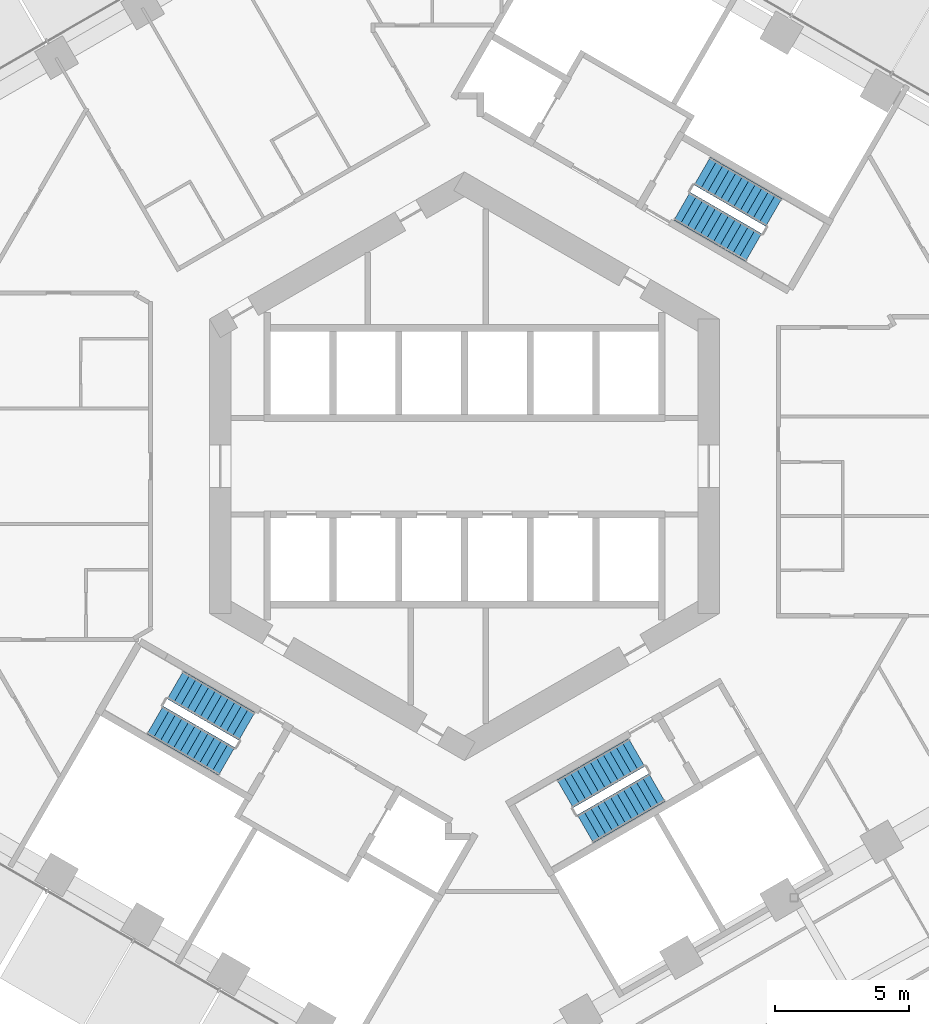
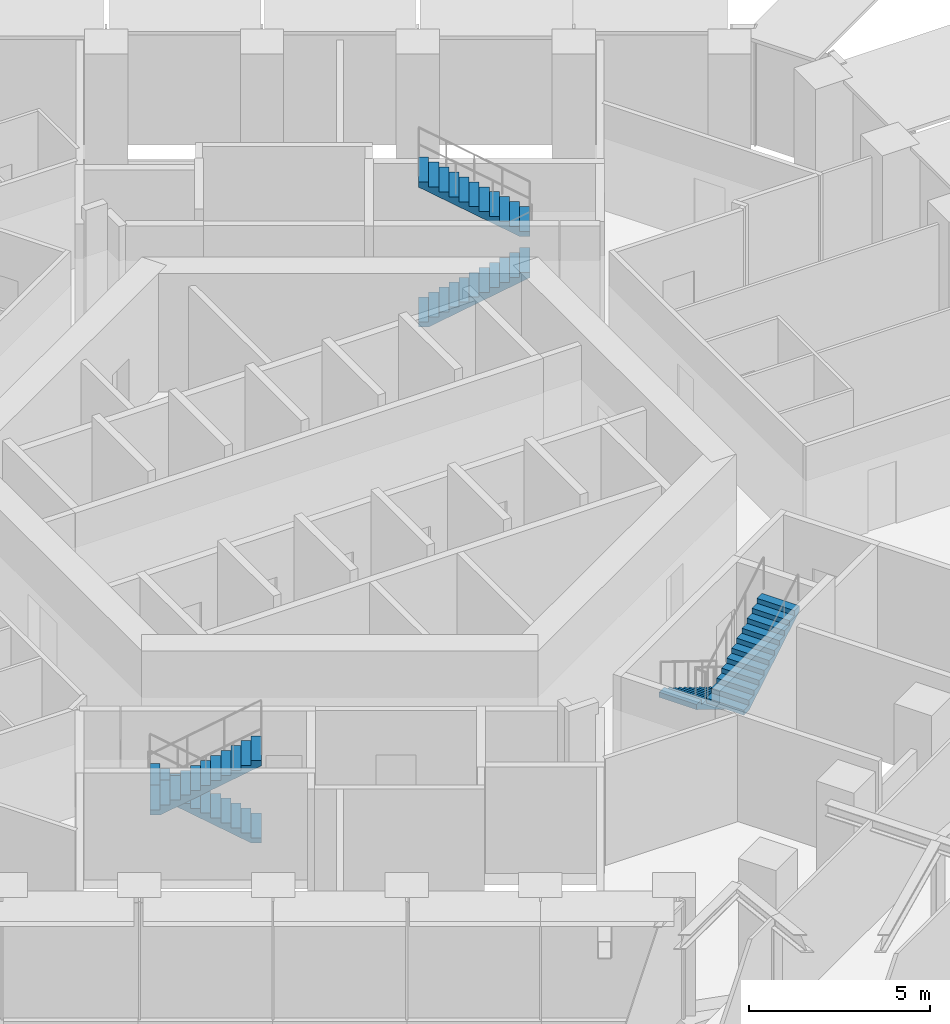
# One storey, part 25 of 28: 6 stair flights, 3 elements without a shape of their own.
"""IFC4 building model written with IfcOpenShell, lengths in metres."""

from ifc_helpers import new_model, si_unit, direction, frame, origin, place, context, subcontext, project, spatial, triangles, material, type_object, element, aggregate, save


model = new_model("IFC4")

# Units and contexts
model_context = context("Model", 3, precision=1e-05, world=origin(), true_north=direction((0.0, 1.0)))
body_context = subcontext(model_context, "Body", "Model", "MODEL_VIEW")
ifc_project = project(units=[si_unit("LENGTHUNIT", "METRE"), si_unit("AREAUNIT", "SQUARE_METRE"), si_unit("VOLUMEUNIT", "CUBIC_METRE"), si_unit("PLANEANGLEUNIT", "RADIAN"), si_unit("MASSUNIT", "GRAM", prefix="KILO")], contexts=[model_context])

# Site, building, storey
site_placement = place(None, origin())
site = spatial("IfcSite", under=ifc_project, at=site_placement, CompositionType="ELEMENT")
building_placement = place(site_placement, origin())
building = spatial("IfcBuilding", under=site, at=building_placement, Name="Ayvan Gate Tower", CompositionType="ELEMENT")
storey_placement = place(building_placement, frame((0.0, 0.0, 74.300048828125)))
storey = spatial("IfcBuildingStorey", under=building, at=storey_placement, Name="L19", CompositionType="ELEMENT", Elevation=74.300048828125)

# Stair, stair flights
ifc_material = material(Name="Concrete C40/50", Category="concrete")
stair_type = type_object("IfcStairType", Name="ST-EXIT", PredefinedType="HALF_TURN_STAIR", material=ifc_material)
stair_1_placement = place(storey_placement, origin())
stair_1 = element("IfcStair", 1, at=stair_1_placement, inside=storey, type_object=stair_type, Name="L19 Exit Stair S1", PredefinedType="HALF_TURN_STAIR")
stair_flight_type = type_object("IfcStairFlightType", Name="SFL-EXIT", PredefinedType="STRAIGHT", material=ifc_material)
stair_flight_1_placement = place(storey_placement, frame((8.106201171875, 9.690185546875, 0.0), z_axis=(0.0, 0.0, 1.0), x_axis=(0.866025403784, -0.5, 0.0)))
stair_flight_1 = element("IfcStairFlight", 2, at=stair_flight_1_placement, type_object=stair_flight_type, Name="STS1 flight 1", NumberOfRisers=12, NumberOfTreads=11, PredefinedType="STRAIGHT", RiserHeight=0.166666667, TreadLength=0.28, context=body_context, shape_type="Tessellation", body=[
    triangles([(0.293073, -0.599976, 0.0), (3.0805, -0.599976, 1.659182), (3.0805, -0.599976, 1.833333), (2.8, -0.599976, 1.833333), (2.8, -0.599976, 1.666667), (2.52, -0.599976, 1.666667), (2.52, -0.599976, 1.5), (2.24, -0.599976, 1.5), (2.24, -0.599976, 1.333333), (1.96, -0.599976, 1.333333), (1.96, -0.599976, 1.166667), (1.68, -0.599976, 1.166667), (1.68, -0.599976, 1.0), (1.4, -0.599976, 1.0), (1.4, -0.599976, 0.833333), (1.12, -0.599976, 0.833333), (1.12, -0.599976, 0.666667), (0.84, -0.599976, 0.666667), (0.84, -0.599976, 0.5), (0.56, -0.599976, 0.5), (0.56, -0.599976, 0.333333), (0.28, -0.599976, 0.333333), (0.28, -0.599976, 0.166667), (-0.0005, -0.599976, 0.166667), (-0.0005, -0.599976, 0.0), (0.293073, 0.0, 0.0), (3.0805, 0.0, 1.659182), (3.0805, 0.0, 1.833333), (2.8, 0.0, 1.833333), (2.8, 0.0, 1.666667), (2.52, 0.0, 1.666667), (2.52, 0.0, 1.5), (2.24, 0.0, 1.5), (2.24, 0.0, 1.333333), (1.96, 0.0, 1.333333), (1.96, 0.0, 1.166667), (1.68, 0.0, 1.166667), (1.68, 0.0, 1.0), (1.4, 0.0, 1.0), (1.4, 0.0, 0.833333), (1.12, 0.0, 0.833333), (1.12, 0.0, 0.666667), (0.84, 0.0, 0.666667), (0.84, 0.0, 0.5), (0.56, 0.0, 0.5), (0.56, 0.0, 0.333333), (0.28, 0.0, 0.333333), (0.28, 0.0, 0.166667), (-0.0005, 0.0, 0.166667), (-0.0005, 0.0, 0.0), (0.293073, 0.599976, 0.0), (3.0805, 0.599976, 1.659182), (3.0805, 0.599976, 1.833333), (2.8, 0.599976, 1.833333), (2.8, 0.599976, 1.666667), (2.52, 0.599976, 1.666667), (2.52, 0.599976, 1.5), (2.24, 0.599976, 1.5), (2.24, 0.599976, 1.333333), (1.96, 0.599976, 1.333333), (1.96, 0.599976, 1.166667), (1.68, 0.599976, 1.166667), (1.68, 0.599976, 1.0), (1.4, 0.599976, 1.0), (1.4, 0.599976, 0.833333), (1.12, 0.599976, 0.833333), (1.12, 0.599976, 0.666667), (0.84, 0.599976, 0.666667), (0.84, 0.599976, 0.5), (0.56, 0.599976, 0.5), (0.56, 0.599976, 0.333333), (0.28, 0.599976, 0.333333), (0.28, 0.599976, 0.166667), (-0.0005, 0.599976, 0.166667), (-0.0005, 0.599976, 0.0)], [[25, 1, 2], [75, 52, 51], [2, 3, 4], [52, 54, 53], [2, 4, 5], [52, 55, 54], [2, 5, 6], [52, 56, 55], [2, 6, 7], [52, 57, 56], [7, 8, 9], [57, 59, 58], [2, 7, 9], [52, 59, 57], [9, 10, 11], [59, 61, 60], [2, 9, 11], [52, 61, 59], [11, 12, 13], [61, 63, 62], [2, 11, 13], [52, 63, 61], [13, 14, 15], [63, 65, 64], [2, 13, 15], [52, 65, 63], [15, 16, 17], [65, 67, 66], [2, 15, 17], [52, 67, 65], [17, 18, 19], [67, 69, 68], [2, 17, 19], [52, 69, 67], [19, 20, 21], [69, 71, 70], [2, 19, 21], [52, 71, 69], [21, 22, 23], [71, 73, 72], [2, 21, 23], [52, 73, 71], [25, 2, 23], [75, 73, 52], [23, 24, 25], [73, 75, 74], [1, 26, 27], [1, 27, 2], [51, 27, 26], [51, 52, 27], [2, 27, 28], [2, 28, 3], [52, 28, 27], [52, 53, 28], [3, 28, 29], [3, 29, 4], [53, 29, 28], [53, 54, 29], [4, 29, 30], [4, 30, 5], [54, 30, 29], [54, 55, 30], [5, 30, 31], [5, 31, 6], [55, 31, 30], [55, 56, 31], [6, 31, 32], [6, 32, 7], [56, 32, 31], [56, 57, 32], [7, 32, 33], [7, 33, 8], [57, 33, 32], [57, 58, 33], [8, 33, 34], [8, 34, 9], [58, 34, 33], [58, 59, 34], [9, 34, 35], [9, 35, 10], [59, 35, 34], [59, 60, 35], [10, 35, 36], [10, 36, 11], [60, 36, 35], [60, 61, 36], [11, 36, 37], [11, 37, 12], [61, 37, 36], [61, 62, 37], [12, 37, 38], [12, 38, 13], [62, 38, 37], [62, 63, 38], [13, 38, 39], [13, 39, 14], [63, 39, 38], [63, 64, 39], [14, 39, 40], [14, 40, 15], [64, 40, 39], [64, 65, 40], [15, 40, 41], [15, 41, 16], [65, 41, 40], [65, 66, 41], [16, 41, 42], [16, 42, 17], [66, 42, 41], [66, 67, 42], [17, 42, 43], [17, 43, 18], [67, 43, 42], [67, 68, 43], [18, 43, 44], [18, 44, 19], [68, 44, 43], [68, 69, 44], [19, 44, 45], [19, 45, 20], [69, 45, 44], [69, 70, 45], [20, 45, 46], [20, 46, 21], [70, 46, 45], [70, 71, 46], [21, 46, 47], [21, 47, 22], [71, 47, 46], [71, 72, 47], [22, 47, 48], [22, 48, 23], [72, 48, 47], [72, 73, 48], [23, 48, 49], [23, 49, 24], [73, 49, 48], [73, 74, 49], [24, 49, 50], [24, 50, 25], [74, 50, 49], [74, 75, 50], [25, 50, 26], [25, 26, 1], [75, 26, 50], [75, 51, 26]], closed=True),
])
stair_flight_2_placement = place(storey_placement, frame((11.528564453125, 9.457763671875, 2.0), z_axis=(0.0, 0.0, 1.0), x_axis=(-0.866025403784, 0.5, 0.0)))
stair_flight_2 = element("IfcStairFlight", 3, at=stair_flight_2_placement, type_object=stair_flight_type, Name="STS1 flight 2", NumberOfRisers=12, NumberOfTreads=11, PredefinedType="STRAIGHT", RiserHeight=0.166666667, TreadLength=0.28, context=body_context, shape_type="Tessellation", body=[
    triangles([(0.293073, -0.599976, 0.0), (3.0805, -0.599976, 1.659182), (3.0805, -0.599976, 1.833333), (2.8, -0.599976, 1.833333), (2.8, -0.599976, 1.666667), (2.52, -0.599976, 1.666667), (2.52, -0.599976, 1.5), (2.24, -0.599976, 1.5), (2.24, -0.599976, 1.333333), (1.96, -0.599976, 1.333333), (1.96, -0.599976, 1.166667), (1.68, -0.599976, 1.166667), (1.68, -0.599976, 1.0), (1.4, -0.599976, 1.0), (1.4, -0.599976, 0.833333), (1.12, -0.599976, 0.833333), (1.12, -0.599976, 0.666667), (0.84, -0.599976, 0.666667), (0.84, -0.599976, 0.5), (0.56, -0.599976, 0.5), (0.56, -0.599976, 0.333333), (0.28, -0.599976, 0.333333), (0.28, -0.599976, 0.166667), (-0.0005, -0.599976, 0.166667), (-0.0005, -0.599976, 0.0), (0.293073, 0.0, 0.0), (3.0805, 0.0, 1.659182), (3.0805, 0.0, 1.833333), (2.8, 0.0, 1.833333), (2.8, 0.0, 1.666667), (2.52, 0.0, 1.666667), (2.52, 0.0, 1.5), (2.24, 0.0, 1.5), (2.24, 0.0, 1.333333), (1.96, 0.0, 1.333333), (1.96, 0.0, 1.166667), (1.68, 0.0, 1.166667), (1.68, 0.0, 1.0), (1.4, 0.0, 1.0), (1.4, 0.0, 0.833333), (1.12, 0.0, 0.833333), (1.12, 0.0, 0.666667), (0.84, 0.0, 0.666667), (0.84, 0.0, 0.5), (0.56, 0.0, 0.5), (0.56, 0.0, 0.333333), (0.28, 0.0, 0.333333), (0.28, 0.0, 0.166667), (-0.0005, 0.0, 0.166667), (-0.0005, 0.0, 0.0), (0.293073, 0.599976, 0.0), (3.0805, 0.599976, 1.659182), (3.0805, 0.599976, 1.833333), (2.8, 0.599976, 1.833333), (2.8, 0.599976, 1.666667), (2.52, 0.599976, 1.666667), (2.52, 0.599976, 1.5), (2.24, 0.599976, 1.5), (2.24, 0.599976, 1.333333), (1.96, 0.599976, 1.333333), (1.96, 0.599976, 1.166667), (1.68, 0.599976, 1.166667), (1.68, 0.599976, 1.0), (1.4, 0.599976, 1.0), (1.4, 0.599976, 0.833333), (1.12, 0.599976, 0.833333), (1.12, 0.599976, 0.666667), (0.84, 0.599976, 0.666667), (0.84, 0.599976, 0.5), (0.56, 0.599976, 0.5), (0.56, 0.599976, 0.333333), (0.28, 0.599976, 0.333333), (0.28, 0.599976, 0.166667), (-0.0005, 0.599976, 0.166667), (-0.0005, 0.599976, 0.0)], [[25, 1, 2], [75, 52, 51], [2, 3, 4], [52, 54, 53], [2, 4, 5], [52, 55, 54], [2, 5, 6], [52, 56, 55], [2, 6, 7], [52, 57, 56], [7, 8, 9], [57, 59, 58], [2, 7, 9], [52, 59, 57], [9, 10, 11], [59, 61, 60], [2, 9, 11], [52, 61, 59], [11, 12, 13], [61, 63, 62], [2, 11, 13], [52, 63, 61], [13, 14, 15], [63, 65, 64], [2, 13, 15], [52, 65, 63], [15, 16, 17], [65, 67, 66], [2, 15, 17], [52, 67, 65], [17, 18, 19], [67, 69, 68], [2, 17, 19], [52, 69, 67], [19, 20, 21], [69, 71, 70], [2, 19, 21], [52, 71, 69], [21, 22, 23], [71, 73, 72], [2, 21, 23], [52, 73, 71], [25, 2, 23], [75, 73, 52], [23, 24, 25], [73, 75, 74], [1, 26, 27], [1, 27, 2], [51, 27, 26], [51, 52, 27], [2, 27, 28], [2, 28, 3], [52, 28, 27], [52, 53, 28], [3, 28, 29], [3, 29, 4], [53, 29, 28], [53, 54, 29], [4, 29, 30], [4, 30, 5], [54, 30, 29], [54, 55, 30], [5, 30, 31], [5, 31, 6], [55, 31, 30], [55, 56, 31], [6, 31, 32], [6, 32, 7], [56, 32, 31], [56, 57, 32], [7, 32, 33], [7, 33, 8], [57, 33, 32], [57, 58, 33], [8, 33, 34], [8, 34, 9], [58, 34, 33], [58, 59, 34], [9, 34, 35], [9, 35, 10], [59, 35, 34], [59, 60, 35], [10, 35, 36], [10, 36, 11], [60, 36, 35], [60, 61, 36], [11, 36, 37], [11, 37, 12], [61, 37, 36], [61, 62, 37], [12, 37, 38], [12, 38, 13], [62, 38, 37], [62, 63, 38], [13, 38, 39], [13, 39, 14], [63, 39, 38], [63, 64, 39], [14, 39, 40], [14, 40, 15], [64, 40, 39], [64, 65, 40], [15, 40, 41], [15, 41, 16], [65, 41, 40], [65, 66, 41], [16, 41, 42], [16, 42, 17], [66, 42, 41], [66, 67, 42], [17, 42, 43], [17, 43, 18], [67, 43, 42], [67, 68, 43], [18, 43, 44], [18, 44, 19], [68, 44, 43], [68, 69, 44], [19, 44, 45], [19, 45, 20], [69, 45, 44], [69, 70, 45], [20, 45, 46], [20, 46, 21], [70, 46, 45], [70, 71, 46], [21, 46, 47], [21, 47, 22], [71, 47, 46], [71, 72, 47], [22, 47, 48], [22, 48, 23], [72, 48, 47], [72, 73, 48], [23, 48, 49], [23, 49, 24], [73, 49, 48], [73, 74, 49], [24, 49, 50], [24, 50, 25], [74, 50, 49], [74, 75, 50], [25, 50, 26], [25, 26, 1], [75, 26, 50], [75, 51, 26]], closed=True),
])
aggregate(stair_1, [stair_flight_1, stair_flight_2])

stair_2_placement = place(storey_placement, origin())
stair_2 = element("IfcStair", 4, at=stair_2_placement, inside=storey, type_object=stair_type, Name="L19 Exit Stair S2", PredefinedType="HALF_TURN_STAIR")
stair_flight_3_placement = place(storey_placement, frame((-8.106201171875, -9.690185546875, 0.0), z_axis=(0.0, 0.0, 1.0), x_axis=(-0.866025403784, 0.5, 0.0)))
stair_flight_3 = element("IfcStairFlight", 5, at=stair_flight_3_placement, type_object=stair_flight_type, Name="STS2 flight 1", NumberOfRisers=12, NumberOfTreads=11, PredefinedType="STRAIGHT", RiserHeight=0.166666667, TreadLength=0.28, context=body_context, shape_type="Tessellation", body=[
    triangles([(0.293073, -0.599976, 0.0), (3.0805, -0.599976, 1.659182), (3.0805, -0.599976, 1.833333), (2.8, -0.599976, 1.833333), (2.8, -0.599976, 1.666667), (2.52, -0.599976, 1.666667), (2.52, -0.599976, 1.5), (2.24, -0.599976, 1.5), (2.24, -0.599976, 1.333333), (1.96, -0.599976, 1.333333), (1.96, -0.599976, 1.166667), (1.68, -0.599976, 1.166667), (1.68, -0.599976, 1.0), (1.4, -0.599976, 1.0), (1.4, -0.599976, 0.833333), (1.12, -0.599976, 0.833333), (1.12, -0.599976, 0.666667), (0.84, -0.599976, 0.666667), (0.84, -0.599976, 0.5), (0.56, -0.599976, 0.5), (0.56, -0.599976, 0.333333), (0.28, -0.599976, 0.333333), (0.28, -0.599976, 0.166667), (-0.0005, -0.599976, 0.166667), (-0.0005, -0.599976, 0.0), (0.293073, 0.0, 0.0), (3.0805, 0.0, 1.659182), (3.0805, 0.0, 1.833333), (2.8, 0.0, 1.833333), (2.8, 0.0, 1.666667), (2.52, 0.0, 1.666667), (2.52, 0.0, 1.5), (2.24, 0.0, 1.5), (2.24, 0.0, 1.333333), (1.96, 0.0, 1.333333), (1.96, 0.0, 1.166667), (1.68, 0.0, 1.166667), (1.68, 0.0, 1.0), (1.4, 0.0, 1.0), (1.4, 0.0, 0.833333), (1.12, 0.0, 0.833333), (1.12, 0.0, 0.666667), (0.84, 0.0, 0.666667), (0.84, 0.0, 0.5), (0.56, 0.0, 0.5), (0.56, 0.0, 0.333333), (0.28, 0.0, 0.333333), (0.28, 0.0, 0.166667), (-0.0005, 0.0, 0.166667), (-0.0005, 0.0, 0.0), (0.293073, 0.599976, 0.0), (3.0805, 0.599976, 1.659182), (3.0805, 0.599976, 1.833333), (2.8, 0.599976, 1.833333), (2.8, 0.599976, 1.666667), (2.52, 0.599976, 1.666667), (2.52, 0.599976, 1.5), (2.24, 0.599976, 1.5), (2.24, 0.599976, 1.333333), (1.96, 0.599976, 1.333333), (1.96, 0.599976, 1.166667), (1.68, 0.599976, 1.166667), (1.68, 0.599976, 1.0), (1.4, 0.599976, 1.0), (1.4, 0.599976, 0.833333), (1.12, 0.599976, 0.833333), (1.12, 0.599976, 0.666667), (0.84, 0.599976, 0.666667), (0.84, 0.599976, 0.5), (0.56, 0.599976, 0.5), (0.56, 0.599976, 0.333333), (0.28, 0.599976, 0.333333), (0.28, 0.599976, 0.166667), (-0.0005, 0.599976, 0.166667), (-0.0005, 0.599976, 0.0)], [[25, 1, 2], [75, 52, 51], [2, 3, 4], [52, 54, 53], [2, 4, 5], [52, 55, 54], [2, 5, 6], [52, 56, 55], [2, 6, 7], [52, 57, 56], [7, 8, 9], [57, 59, 58], [2, 7, 9], [52, 59, 57], [9, 10, 11], [59, 61, 60], [2, 9, 11], [52, 61, 59], [11, 12, 13], [61, 63, 62], [2, 11, 13], [52, 63, 61], [13, 14, 15], [63, 65, 64], [2, 13, 15], [52, 65, 63], [15, 16, 17], [65, 67, 66], [2, 15, 17], [52, 67, 65], [17, 18, 19], [67, 69, 68], [2, 17, 19], [52, 69, 67], [19, 20, 21], [69, 71, 70], [2, 19, 21], [52, 71, 69], [21, 22, 23], [71, 73, 72], [2, 21, 23], [52, 73, 71], [25, 2, 23], [75, 73, 52], [23, 24, 25], [73, 75, 74], [1, 26, 27], [1, 27, 2], [51, 27, 26], [51, 52, 27], [2, 27, 28], [2, 28, 3], [52, 28, 27], [52, 53, 28], [3, 28, 29], [3, 29, 4], [53, 29, 28], [53, 54, 29], [4, 29, 30], [4, 30, 5], [54, 30, 29], [54, 55, 30], [5, 30, 31], [5, 31, 6], [55, 31, 30], [55, 56, 31], [6, 31, 32], [6, 32, 7], [56, 32, 31], [56, 57, 32], [7, 32, 33], [7, 33, 8], [57, 33, 32], [57, 58, 33], [8, 33, 34], [8, 34, 9], [58, 34, 33], [58, 59, 34], [9, 34, 35], [9, 35, 10], [59, 35, 34], [59, 60, 35], [10, 35, 36], [10, 36, 11], [60, 36, 35], [60, 61, 36], [11, 36, 37], [11, 37, 12], [61, 37, 36], [61, 62, 37], [12, 37, 38], [12, 38, 13], [62, 38, 37], [62, 63, 38], [13, 38, 39], [13, 39, 14], [63, 39, 38], [63, 64, 39], [14, 39, 40], [14, 40, 15], [64, 40, 39], [64, 65, 40], [15, 40, 41], [15, 41, 16], [65, 41, 40], [65, 66, 41], [16, 41, 42], [16, 42, 17], [66, 42, 41], [66, 67, 42], [17, 42, 43], [17, 43, 18], [67, 43, 42], [67, 68, 43], [18, 43, 44], [18, 44, 19], [68, 44, 43], [68, 69, 44], [19, 44, 45], [19, 45, 20], [69, 45, 44], [69, 70, 45], [20, 45, 46], [20, 46, 21], [70, 46, 45], [70, 71, 46], [21, 46, 47], [21, 47, 22], [71, 47, 46], [71, 72, 47], [22, 47, 48], [22, 48, 23], [72, 48, 47], [72, 73, 48], [23, 48, 49], [23, 49, 24], [73, 49, 48], [73, 74, 49], [24, 49, 50], [24, 50, 25], [74, 50, 49], [74, 75, 50], [25, 50, 26], [25, 26, 1], [75, 26, 50], [75, 51, 26]], closed=True),
])
stair_flight_4_placement = place(storey_placement, frame((-11.528564453125, -9.457763671875, 2.0), z_axis=(0.0, 0.0, 1.0), x_axis=(0.866025403784, -0.5, 0.0)))
stair_flight_4 = element("IfcStairFlight", 6, at=stair_flight_4_placement, type_object=stair_flight_type, Name="STS2 flight 2", NumberOfRisers=12, NumberOfTreads=11, PredefinedType="STRAIGHT", RiserHeight=0.166666667, TreadLength=0.28, context=body_context, shape_type="Tessellation", body=[
    triangles([(0.293073, -0.599976, 0.0), (3.0805, -0.599976, 1.659182), (3.0805, -0.599976, 1.833333), (2.8, -0.599976, 1.833333), (2.8, -0.599976, 1.666667), (2.52, -0.599976, 1.666667), (2.52, -0.599976, 1.5), (2.24, -0.599976, 1.5), (2.24, -0.599976, 1.333333), (1.96, -0.599976, 1.333333), (1.96, -0.599976, 1.166667), (1.68, -0.599976, 1.166667), (1.68, -0.599976, 1.0), (1.4, -0.599976, 1.0), (1.4, -0.599976, 0.833333), (1.12, -0.599976, 0.833333), (1.12, -0.599976, 0.666667), (0.84, -0.599976, 0.666667), (0.84, -0.599976, 0.5), (0.56, -0.599976, 0.5), (0.56, -0.599976, 0.333333), (0.28, -0.599976, 0.333333), (0.28, -0.599976, 0.166667), (-0.0005, -0.599976, 0.166667), (-0.0005, -0.599976, 0.0), (0.293073, 0.0, 0.0), (3.0805, 0.0, 1.659182), (3.0805, 0.0, 1.833333), (2.8, 0.0, 1.833333), (2.8, 0.0, 1.666667), (2.52, 0.0, 1.666667), (2.52, 0.0, 1.5), (2.24, 0.0, 1.5), (2.24, 0.0, 1.333333), (1.96, 0.0, 1.333333), (1.96, 0.0, 1.166667), (1.68, 0.0, 1.166667), (1.68, 0.0, 1.0), (1.4, 0.0, 1.0), (1.4, 0.0, 0.833333), (1.12, 0.0, 0.833333), (1.12, 0.0, 0.666667), (0.84, 0.0, 0.666667), (0.84, 0.0, 0.5), (0.56, 0.0, 0.5), (0.56, 0.0, 0.333333), (0.28, 0.0, 0.333333), (0.28, 0.0, 0.166667), (-0.0005, 0.0, 0.166667), (-0.0005, 0.0, 0.0), (0.293073, 0.599976, 0.0), (3.0805, 0.599976, 1.659182), (3.0805, 0.599976, 1.833333), (2.8, 0.599976, 1.833333), (2.8, 0.599976, 1.666667), (2.52, 0.599976, 1.666667), (2.52, 0.599976, 1.5), (2.24, 0.599976, 1.5), (2.24, 0.599976, 1.333333), (1.96, 0.599976, 1.333333), (1.96, 0.599976, 1.166667), (1.68, 0.599976, 1.166667), (1.68, 0.599976, 1.0), (1.4, 0.599976, 1.0), (1.4, 0.599976, 0.833333), (1.12, 0.599976, 0.833333), (1.12, 0.599976, 0.666667), (0.84, 0.599976, 0.666667), (0.84, 0.599976, 0.5), (0.56, 0.599976, 0.5), (0.56, 0.599976, 0.333333), (0.28, 0.599976, 0.333333), (0.28, 0.599976, 0.166667), (-0.0005, 0.599976, 0.166667), (-0.0005, 0.599976, 0.0)], [[25, 1, 2], [75, 52, 51], [2, 3, 4], [52, 54, 53], [2, 4, 5], [52, 55, 54], [2, 5, 6], [52, 56, 55], [2, 6, 7], [52, 57, 56], [7, 8, 9], [57, 59, 58], [2, 7, 9], [52, 59, 57], [9, 10, 11], [59, 61, 60], [2, 9, 11], [52, 61, 59], [11, 12, 13], [61, 63, 62], [2, 11, 13], [52, 63, 61], [13, 14, 15], [63, 65, 64], [2, 13, 15], [52, 65, 63], [15, 16, 17], [65, 67, 66], [2, 15, 17], [52, 67, 65], [17, 18, 19], [67, 69, 68], [2, 17, 19], [52, 69, 67], [19, 20, 21], [69, 71, 70], [2, 19, 21], [52, 71, 69], [21, 22, 23], [71, 73, 72], [2, 21, 23], [52, 73, 71], [25, 2, 23], [75, 73, 52], [23, 24, 25], [73, 75, 74], [1, 26, 27], [1, 27, 2], [51, 27, 26], [51, 52, 27], [2, 27, 28], [2, 28, 3], [52, 28, 27], [52, 53, 28], [3, 28, 29], [3, 29, 4], [53, 29, 28], [53, 54, 29], [4, 29, 30], [4, 30, 5], [54, 30, 29], [54, 55, 30], [5, 30, 31], [5, 31, 6], [55, 31, 30], [55, 56, 31], [6, 31, 32], [6, 32, 7], [56, 32, 31], [56, 57, 32], [7, 32, 33], [7, 33, 8], [57, 33, 32], [57, 58, 33], [8, 33, 34], [8, 34, 9], [58, 34, 33], [58, 59, 34], [9, 34, 35], [9, 35, 10], [59, 35, 34], [59, 60, 35], [10, 35, 36], [10, 36, 11], [60, 36, 35], [60, 61, 36], [11, 36, 37], [11, 37, 12], [61, 37, 36], [61, 62, 37], [12, 37, 38], [12, 38, 13], [62, 38, 37], [62, 63, 38], [13, 38, 39], [13, 39, 14], [63, 39, 38], [63, 64, 39], [14, 39, 40], [14, 40, 15], [64, 40, 39], [64, 65, 40], [15, 40, 41], [15, 41, 16], [65, 41, 40], [65, 66, 41], [16, 41, 42], [16, 42, 17], [66, 42, 41], [66, 67, 42], [17, 42, 43], [17, 43, 18], [67, 43, 42], [67, 68, 43], [18, 43, 44], [18, 44, 19], [68, 44, 43], [68, 69, 44], [19, 44, 45], [19, 45, 20], [69, 45, 44], [69, 70, 45], [20, 45, 46], [20, 46, 21], [70, 46, 45], [70, 71, 46], [21, 46, 47], [21, 47, 22], [71, 47, 46], [71, 72, 47], [22, 47, 48], [22, 48, 23], [72, 48, 47], [72, 73, 48], [23, 48, 49], [23, 49, 24], [73, 49, 48], [73, 74, 49], [24, 49, 50], [24, 50, 25], [74, 50, 49], [74, 75, 50], [25, 50, 26], [25, 26, 1], [75, 26, 50], [75, 51, 26]], closed=True),
])
aggregate(stair_2, [stair_flight_3, stair_flight_4])

stair_3_placement = place(storey_placement, origin())
stair_3 = element("IfcStair", 7, at=stair_3_placement, inside=storey, type_object=stair_type, Name="L19 Exit Stair S3", PredefinedType="HALF_TURN_STAIR")
stair_flight_5_placement = place(storey_placement, frame((6.417236328125, -10.665283203125, 0.0), z_axis=(0.0, 0.0, 1.0), x_axis=(-0.866025403784, -0.5, 0.0)))
stair_flight_5 = element("IfcStairFlight", 8, at=stair_flight_5_placement, type_object=stair_flight_type, Name="STS3 flight 1", NumberOfRisers=12, NumberOfTreads=11, PredefinedType="STRAIGHT", RiserHeight=0.166666667, TreadLength=0.28, context=body_context, shape_type="Tessellation", body=[
    triangles([(0.293073, -0.599976, 0.0), (3.0805, -0.599976, 1.659182), (3.0805, -0.599976, 1.833333), (2.8, -0.599976, 1.833333), (2.8, -0.599976, 1.666667), (2.52, -0.599976, 1.666667), (2.52, -0.599976, 1.5), (2.24, -0.599976, 1.5), (2.24, -0.599976, 1.333333), (1.96, -0.599976, 1.333333), (1.96, -0.599976, 1.166667), (1.68, -0.599976, 1.166667), (1.68, -0.599976, 1.0), (1.4, -0.599976, 1.0), (1.4, -0.599976, 0.833333), (1.12, -0.599976, 0.833333), (1.12, -0.599976, 0.666667), (0.84, -0.599976, 0.666667), (0.84, -0.599976, 0.5), (0.56, -0.599976, 0.5), (0.56, -0.599976, 0.333333), (0.28, -0.599976, 0.333333), (0.28, -0.599976, 0.166667), (-0.0005, -0.599976, 0.166667), (-0.0005, -0.599976, 0.0), (0.293073, 0.0, 0.0), (3.0805, 0.0, 1.659182), (3.0805, 0.0, 1.833333), (2.8, 0.0, 1.833333), (2.8, 0.0, 1.666667), (2.52, 0.0, 1.666667), (2.52, 0.0, 1.5), (2.24, 0.0, 1.5), (2.24, 0.0, 1.333333), (1.96, 0.0, 1.333333), (1.96, 0.0, 1.166667), (1.68, 0.0, 1.166667), (1.68, 0.0, 1.0), (1.4, 0.0, 1.0), (1.4, 0.0, 0.833333), (1.12, 0.0, 0.833333), (1.12, 0.0, 0.666667), (0.84, 0.0, 0.666667), (0.84, 0.0, 0.5), (0.56, 0.0, 0.5), (0.56, 0.0, 0.333333), (0.28, 0.0, 0.333333), (0.28, 0.0, 0.166667), (-0.0005, 0.0, 0.166667), (-0.0005, 0.0, 0.0), (0.293073, 0.599976, 0.0), (3.0805, 0.599976, 1.659182), (3.0805, 0.599976, 1.833333), (2.8, 0.599976, 1.833333), (2.8, 0.599976, 1.666667), (2.52, 0.599976, 1.666667), (2.52, 0.599976, 1.5), (2.24, 0.599976, 1.5), (2.24, 0.599976, 1.333333), (1.96, 0.599976, 1.333333), (1.96, 0.599976, 1.166667), (1.68, 0.599976, 1.166667), (1.68, 0.599976, 1.0), (1.4, 0.599976, 1.0), (1.4, 0.599976, 0.833333), (1.12, 0.599976, 0.833333), (1.12, 0.599976, 0.666667), (0.84, 0.599976, 0.666667), (0.84, 0.599976, 0.5), (0.56, 0.599976, 0.5), (0.56, 0.599976, 0.333333), (0.28, 0.599976, 0.333333), (0.28, 0.599976, 0.166667), (-0.0005, 0.599976, 0.166667), (-0.0005, 0.599976, 0.0)], [[25, 1, 2], [75, 52, 51], [2, 3, 4], [52, 54, 53], [2, 4, 5], [52, 55, 54], [2, 5, 6], [52, 56, 55], [2, 6, 7], [52, 57, 56], [7, 8, 9], [57, 59, 58], [2, 7, 9], [52, 59, 57], [9, 10, 11], [59, 61, 60], [2, 9, 11], [52, 61, 59], [11, 12, 13], [61, 63, 62], [2, 11, 13], [52, 63, 61], [13, 14, 15], [63, 65, 64], [2, 13, 15], [52, 65, 63], [15, 16, 17], [65, 67, 66], [2, 15, 17], [52, 67, 65], [17, 18, 19], [67, 69, 68], [2, 17, 19], [52, 69, 67], [19, 20, 21], [69, 71, 70], [2, 19, 21], [52, 71, 69], [21, 22, 23], [71, 73, 72], [2, 21, 23], [52, 73, 71], [25, 2, 23], [75, 73, 52], [23, 24, 25], [73, 75, 74], [1, 26, 27], [1, 27, 2], [51, 27, 26], [51, 52, 27], [2, 27, 28], [2, 28, 3], [52, 28, 27], [52, 53, 28], [3, 28, 29], [3, 29, 4], [53, 29, 28], [53, 54, 29], [4, 29, 30], [4, 30, 5], [54, 30, 29], [54, 55, 30], [5, 30, 31], [5, 31, 6], [55, 31, 30], [55, 56, 31], [6, 31, 32], [6, 32, 7], [56, 32, 31], [56, 57, 32], [7, 32, 33], [7, 33, 8], [57, 33, 32], [57, 58, 33], [8, 33, 34], [8, 34, 9], [58, 34, 33], [58, 59, 34], [9, 34, 35], [9, 35, 10], [59, 35, 34], [59, 60, 35], [10, 35, 36], [10, 36, 11], [60, 36, 35], [60, 61, 36], [11, 36, 37], [11, 37, 12], [61, 37, 36], [61, 62, 37], [12, 37, 38], [12, 38, 13], [62, 38, 37], [62, 63, 38], [13, 38, 39], [13, 39, 14], [63, 39, 38], [63, 64, 39], [14, 39, 40], [14, 40, 15], [64, 40, 39], [64, 65, 40], [15, 40, 41], [15, 41, 16], [65, 41, 40], [65, 66, 41], [16, 41, 42], [16, 42, 17], [66, 42, 41], [66, 67, 42], [17, 42, 43], [17, 43, 18], [67, 43, 42], [67, 68, 43], [18, 43, 44], [18, 44, 19], [68, 44, 43], [68, 69, 44], [19, 44, 45], [19, 45, 20], [69, 45, 44], [69, 70, 45], [20, 45, 46], [20, 46, 21], [70, 46, 45], [70, 71, 46], [21, 46, 47], [21, 47, 22], [71, 47, 46], [71, 72, 47], [22, 47, 48], [22, 48, 23], [72, 48, 47], [72, 73, 48], [23, 48, 49], [23, 49, 24], [73, 49, 48], [73, 74, 49], [24, 49, 50], [24, 50, 25], [74, 50, 49], [74, 75, 50], [25, 50, 26], [25, 26, 1], [75, 26, 50], [75, 51, 26]], closed=True),
])
stair_flight_6_placement = place(storey_placement, frame((4.5048828125, -13.512939453125, 2.0), z_axis=(0.0, 0.0, 1.0), x_axis=(0.866025403784, 0.5, 0.0)))
stair_flight_6 = element("IfcStairFlight", 9, at=stair_flight_6_placement, type_object=stair_flight_type, Name="STS3 flight 2", NumberOfRisers=12, NumberOfTreads=11, PredefinedType="STRAIGHT", RiserHeight=0.166666667, TreadLength=0.28, context=body_context, shape_type="Tessellation", body=[
    triangles([(0.293073, -0.599976, 0.0), (3.0805, -0.599976, 1.659182), (3.0805, -0.599976, 1.833333), (2.8, -0.599976, 1.833333), (2.8, -0.599976, 1.666667), (2.52, -0.599976, 1.666667), (2.52, -0.599976, 1.5), (2.24, -0.599976, 1.5), (2.24, -0.599976, 1.333333), (1.96, -0.599976, 1.333333), (1.96, -0.599976, 1.166667), (1.68, -0.599976, 1.166667), (1.68, -0.599976, 1.0), (1.4, -0.599976, 1.0), (1.4, -0.599976, 0.833333), (1.12, -0.599976, 0.833333), (1.12, -0.599976, 0.666667), (0.84, -0.599976, 0.666667), (0.84, -0.599976, 0.5), (0.56, -0.599976, 0.5), (0.56, -0.599976, 0.333333), (0.28, -0.599976, 0.333333), (0.28, -0.599976, 0.166667), (-0.0005, -0.599976, 0.166667), (-0.0005, -0.599976, 0.0), (0.293073, 0.0, 0.0), (3.0805, 0.0, 1.659182), (3.0805, 0.0, 1.833333), (2.8, 0.0, 1.833333), (2.8, 0.0, 1.666667), (2.52, 0.0, 1.666667), (2.52, 0.0, 1.5), (2.24, 0.0, 1.5), (2.24, 0.0, 1.333333), (1.96, 0.0, 1.333333), (1.96, 0.0, 1.166667), (1.68, 0.0, 1.166667), (1.68, 0.0, 1.0), (1.4, 0.0, 1.0), (1.4, 0.0, 0.833333), (1.12, 0.0, 0.833333), (1.12, 0.0, 0.666667), (0.84, 0.0, 0.666667), (0.84, 0.0, 0.5), (0.56, 0.0, 0.5), (0.56, 0.0, 0.333333), (0.28, 0.0, 0.333333), (0.28, 0.0, 0.166667), (-0.0005, 0.0, 0.166667), (-0.0005, 0.0, 0.0), (0.293073, 0.599976, 0.0), (3.0805, 0.599976, 1.659182), (3.0805, 0.599976, 1.833333), (2.8, 0.599976, 1.833333), (2.8, 0.599976, 1.666667), (2.52, 0.599976, 1.666667), (2.52, 0.599976, 1.5), (2.24, 0.599976, 1.5), (2.24, 0.599976, 1.333333), (1.96, 0.599976, 1.333333), (1.96, 0.599976, 1.166667), (1.68, 0.599976, 1.166667), (1.68, 0.599976, 1.0), (1.4, 0.599976, 1.0), (1.4, 0.599976, 0.833333), (1.12, 0.599976, 0.833333), (1.12, 0.599976, 0.666667), (0.84, 0.599976, 0.666667), (0.84, 0.599976, 0.5), (0.56, 0.599976, 0.5), (0.56, 0.599976, 0.333333), (0.28, 0.599976, 0.333333), (0.28, 0.599976, 0.166667), (-0.0005, 0.599976, 0.166667), (-0.0005, 0.599976, 0.0)], [[25, 1, 2], [75, 52, 51], [2, 3, 4], [52, 54, 53], [2, 4, 5], [52, 55, 54], [2, 5, 6], [52, 56, 55], [2, 6, 7], [52, 57, 56], [7, 8, 9], [57, 59, 58], [2, 7, 9], [52, 59, 57], [9, 10, 11], [59, 61, 60], [2, 9, 11], [52, 61, 59], [11, 12, 13], [61, 63, 62], [2, 11, 13], [52, 63, 61], [13, 14, 15], [63, 65, 64], [2, 13, 15], [52, 65, 63], [15, 16, 17], [65, 67, 66], [2, 15, 17], [52, 67, 65], [17, 18, 19], [67, 69, 68], [2, 17, 19], [52, 69, 67], [19, 20, 21], [69, 71, 70], [2, 19, 21], [52, 71, 69], [21, 22, 23], [71, 73, 72], [2, 21, 23], [52, 73, 71], [25, 2, 23], [75, 73, 52], [23, 24, 25], [73, 75, 74], [1, 26, 27], [1, 27, 2], [51, 27, 26], [51, 52, 27], [2, 27, 28], [2, 28, 3], [52, 28, 27], [52, 53, 28], [3, 28, 29], [3, 29, 4], [53, 29, 28], [53, 54, 29], [4, 29, 30], [4, 30, 5], [54, 30, 29], [54, 55, 30], [5, 30, 31], [5, 31, 6], [55, 31, 30], [55, 56, 31], [6, 31, 32], [6, 32, 7], [56, 32, 31], [56, 57, 32], [7, 32, 33], [7, 33, 8], [57, 33, 32], [57, 58, 33], [8, 33, 34], [8, 34, 9], [58, 34, 33], [58, 59, 34], [9, 34, 35], [9, 35, 10], [59, 35, 34], [59, 60, 35], [10, 35, 36], [10, 36, 11], [60, 36, 35], [60, 61, 36], [11, 36, 37], [11, 37, 12], [61, 37, 36], [61, 62, 37], [12, 37, 38], [12, 38, 13], [62, 38, 37], [62, 63, 38], [13, 38, 39], [13, 39, 14], [63, 39, 38], [63, 64, 39], [14, 39, 40], [14, 40, 15], [64, 40, 39], [64, 65, 40], [15, 40, 41], [15, 41, 16], [65, 41, 40], [65, 66, 41], [16, 41, 42], [16, 42, 17], [66, 42, 41], [66, 67, 42], [17, 42, 43], [17, 43, 18], [67, 43, 42], [67, 68, 43], [18, 43, 44], [18, 44, 19], [68, 44, 43], [68, 69, 44], [19, 44, 45], [19, 45, 20], [69, 45, 44], [69, 70, 45], [20, 45, 46], [20, 46, 21], [70, 46, 45], [70, 71, 46], [21, 46, 47], [21, 47, 22], [71, 47, 46], [71, 72, 47], [22, 47, 48], [22, 48, 23], [72, 48, 47], [72, 73, 48], [23, 48, 49], [23, 49, 24], [73, 49, 48], [73, 74, 49], [24, 49, 50], [24, 50, 25], [74, 50, 49], [74, 75, 50], [25, 50, 26], [25, 26, 1], [75, 26, 50], [75, 51, 26]], closed=True),
])
aggregate(stair_3, [stair_flight_5, stair_flight_6])

save(model, "model.ifc")
